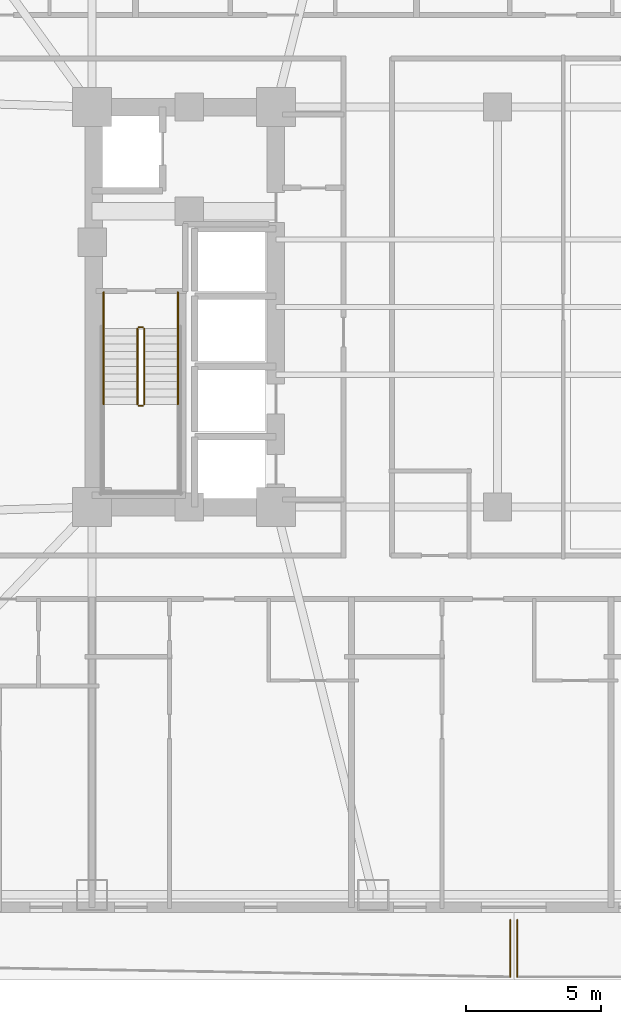
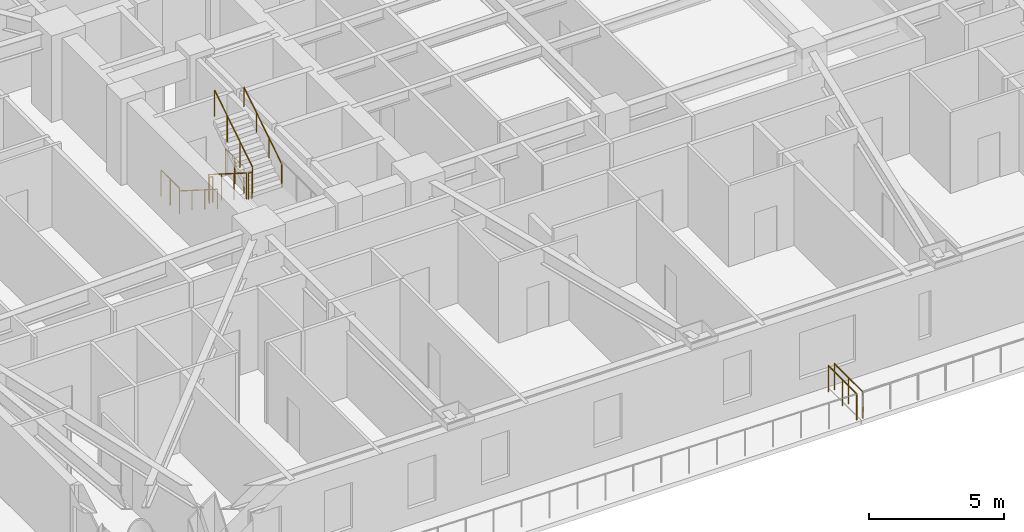
# One storey, part 11 of 14: 10 railings.
"""IFC4 building model written with IfcOpenShell, lengths in metres."""

import ifcopenshell
import ifcopenshell.guid

model = None  # the IFC model being written
_history = None  # IfcOwnerHistory: only IFC2X3 demands one
_inside = {}  # id of a spatial element -> (the spatial element, [elements in it])
_under = {}  # id of a project, library or spatial element -> (it, [spatial elements below it])
_declared = {}  # id of a project -> (the project, [libraries it declares])
_typed = {}  # id of a type object -> (the type object, [elements of that type])
_made_of = {}  # id of a material, layer set ... -> (it, [elements and type objects made of it])


def new_model(schema):
    """Start an empty IFC model of exactly this schema.

    Asked for "IFC4X3", IfcOpenShell would pick the latest addendum, in which some entities
    have other attributes; the version numbers below select the first issue.
    IFC2X3 requires an IfcOwnerHistory on every rooted entity: one is made here for all.
    """
    global model, _history
    if schema == "IFC4X3":
        model = ifcopenshell.file(schema_version=(4, 3, 0, 0))
    else:
        model = ifcopenshell.file(schema=schema)
    _inside.clear()
    _under.clear()
    _declared.clear()
    _typed.clear()
    _made_of.clear()
    _history = None
    if model.schema == "IFC2X3":
        org = make("IfcOrganization", Name="unknown")
        user = make(
            "IfcPersonAndOrganization",
            ThePerson=make("IfcPerson", FamilyName="unknown"),
            TheOrganization=org,
        )
        app = make(
            "IfcApplication",
            ApplicationDeveloper=org,
            Version="unknown",
            ApplicationFullName="unknown",
            ApplicationIdentifier="unknown",
        )
        _history = make(
            "IfcOwnerHistory",
            OwningUser=user,
            OwningApplication=app,
            ChangeAction="ADDED",
            CreationDate=0,
        )
    return model


def make(cls, **values):
    """One entity of the class cls with the attributes given. An attribute that is None is left unset."""
    return model.create_entity(
        cls, **{name: value for name, value in values.items() if value is not None}
    )


def rooted(cls, **values):
    """An entity with a GlobalId (a new one), such as an element, a storey or a relation."""
    return make(cls, GlobalId=ifcopenshell.guid.new(), OwnerHistory=_history, **values)


def si_unit(unit_type, name, prefix=None):
    """IfcSIUnit, for example si_unit("LENGTHUNIT", "METRE", prefix="MILLI")."""
    return make("IfcSIUnit", UnitType=unit_type, Prefix=prefix, Name=name)


def assignment(units):
    """IfcUnitAssignment: the units of a project."""
    return None if units is None else make("IfcUnitAssignment", Units=units)


def point(xyz):
    """IfcCartesianPoint."""
    return None if xyz is None else make("IfcCartesianPoint", Coordinates=xyz)


def direction(xyz):
    """IfcDirection."""
    return None if xyz is None else make("IfcDirection", DirectionRatios=xyz)


def frame(location, z_axis=None, x_axis=None):
    """IfcAxis2Placement3D, a coordinate frame: its origin and axes. An axis left out is left unset."""
    return make(
        "IfcAxis2Placement3D",
        Location=point(location),
        Axis=direction(z_axis),
        RefDirection=direction(x_axis),
    )


def frame_2d(location, x_axis=None):
    """IfcAxis2Placement2D, a coordinate frame in the plane: its origin and x axis."""
    return make(
        "IfcAxis2Placement2D", Location=point(location), RefDirection=direction(x_axis)
    )


def origin():
    """The frame at (0, 0, 0) with its axes left unset."""
    return frame((0.0, 0.0, 0.0))


def origin_2d():
    """The frame at (0, 0) in the plane with its x axis left unset."""
    return frame_2d((0.0, 0.0))


def place(relative_to, where):
    """IfcLocalPlacement: puts the frame where relative to a parent placement (None: the world)."""
    return make(
        "IfcLocalPlacement", PlacementRelTo=relative_to, RelativePlacement=where
    )


def context(
    kind, dimensions, precision=None, world=None, true_north=None, identifier=None
):
    """IfcGeometricRepresentationContext, for example the 3D "Model" context."""
    return make(
        "IfcGeometricRepresentationContext",
        ContextIdentifier=identifier,
        ContextType=kind,
        CoordinateSpaceDimension=dimensions,
        Precision=precision,
        WorldCoordinateSystem=world,
        TrueNorth=true_north,
    )


def subcontext(parent, identifier, kind, view, scale=None):
    """IfcGeometricRepresentationSubContext, for example "Body" below "Model"."""
    return make(
        "IfcGeometricRepresentationSubContext",
        ContextIdentifier=identifier,
        ContextType=kind,
        ParentContext=parent,
        TargetScale=scale,
        TargetView=view,
    )


def project(units=None, contexts=None):
    """IfcProject with its units and contexts."""
    return rooted(
        "IfcProject",
        Name="project",
        RepresentationContexts=contexts,
        UnitsInContext=assignment(units),
    )


def spatial(cls, under=None, at=None, **own):
    """A site, building, storey or space (cls), placed at a placement, below another one or the project."""
    s = rooted(cls, ObjectPlacement=at, **own)
    if under is not None:
        _under.setdefault(under.id(), (under, []))[1].append(s)
    return s


def profile(cls, at=None, kind="AREA", **sizes):
    """A parametric profile (cls). Its sizes go by their IFC names, for example OverallWidth=200.0."""
    return make(cls, ProfileType=kind, Position=at, **sizes)


def circle(**sizes):
    """IfcCircleProfileDef."""
    return profile("IfcCircleProfileDef", **sizes)


def extrude(swept, where, along, depth):
    """IfcExtrudedAreaSolid: the profile swept, set in the frame where, extruded along a direction by depth."""
    return make(
        "IfcExtrudedAreaSolid",
        SweptArea=swept,
        Position=where,
        ExtrudedDirection=direction(along),
        Depth=depth,
    )


def shape(context_of_items, identifier, shape_type, items):
    """IfcShapeRepresentation: the items that make up one representation, for example the "Body"."""
    return make(
        "IfcShapeRepresentation",
        ContextOfItems=context_of_items,
        RepresentationIdentifier=identifier,
        RepresentationType=shape_type,
        Items=items,
    )


def material(Name=None, Category=None):
    """IfcMaterial."""
    return make("IfcMaterial", Name=Name, Category=Category)


def made_of(thing, what):
    """Note that an element or type object is made of a material, layer set ...; save() writes the relation."""
    if what is not None:
        _made_of.setdefault(what.id(), (what, []))[1].append(thing)
    return thing


def type_object(cls, material=None, **own):
    """A type object (cls), such as IfcWallType, which elements share."""
    return made_of(rooted(cls, **own), material)


def element(
    cls,
    number,
    at=None,
    inside=None,
    cuts=None,
    type_object=None,
    material=None,
    context=None,
    identifier="Body",
    shape_type=None,
    held_by="IfcProductDefinitionShape",
    body=None,
    shapes=None,
    **own,
):
    """One element of the class cls, such as IfcWall. Its Tag is "e" and its number.

    at: its placement. inside: the storey or other place that contains it. cuts: it is an
    opening in that element (IfcRelVoidsElement). A single representation is given by context,
    identifier, shape_type and body (its items); several are given by shapes. held_by: the class
    of the entity that holds the representations. save() writes the other relations.
    """
    e = rooted(cls, Tag="e%d" % number, ObjectPlacement=at, **own)
    if body is not None:
        shapes = [shape(context, identifier, shape_type, body)]
    if shapes is not None:
        e.Representation = make(held_by, Representations=shapes)
    if inside is not None:
        _inside.setdefault(inside.id(), (inside, []))[1].append(e)
    if cuts is not None:
        rooted(
            "IfcRelVoidsElement", RelatingBuildingElement=cuts, RelatedOpeningElement=e
        )
    if type_object is not None:
        _typed.setdefault(type_object.id(), (type_object, []))[1].append(e)
    return made_of(e, material)


def aggregate(whole, parts):
    """IfcRelAggregates: a whole, such as a stair, and the parts it consists of."""
    return rooted("IfcRelAggregates", RelatingObject=whole, RelatedObjects=parts)


def save(model, path):
    """Write the relations noted so far, then the file.

    IfcRelAggregates (storeys below a building ...), IfcRelContainedInSpatialStructure (elements
    in a storey), IfcRelDefinesByType, IfcRelAssociatesMaterial and IfcRelDeclares: one each for
    every whole, place, type object, material and project.
    """
    for whole, parts in _under.values():
        aggregate(whole, parts)
    for where, things in _inside.values():
        rooted(
            "IfcRelContainedInSpatialStructure",
            RelatedElements=things,
            RelatingStructure=where,
        )
    for kind, things in _typed.values():
        rooted("IfcRelDefinesByType", RelatedObjects=things, RelatingType=kind)
    for what, things in _made_of.values():
        rooted("IfcRelAssociatesMaterial", RelatedObjects=things, RelatingMaterial=what)
    for by, libraries in _declared.values():
        rooted("IfcRelDeclares", RelatingContext=by, RelatedDefinitions=libraries)
    model.write(path)


model = new_model("IFC4")

# Units and contexts
model_context = context("Model", 3, precision=1e-05, world=origin(), true_north=direction((0.0, 1.0)))
body_context = subcontext(model_context, "Body", "Model", "MODEL_VIEW")
ifc_project = project(units=[si_unit("LENGTHUNIT", "METRE"), si_unit("AREAUNIT", "SQUARE_METRE"), si_unit("VOLUMEUNIT", "CUBIC_METRE"), si_unit("PLANEANGLEUNIT", "RADIAN"), si_unit("MASSUNIT", "GRAM", prefix="KILO")], contexts=[model_context])

# Site, building, storey
site_placement = place(None, origin())
site = spatial("IfcSite", under=ifc_project, at=site_placement, CompositionType="ELEMENT")
building_placement = place(site_placement, origin())
building = spatial("IfcBuilding", under=site, at=building_placement, Name="Voryun Gate Residences", CompositionType="ELEMENT")
storey_placement = place(building_placement, frame((0.0, 0.0, 53.300048828125)))
storey = spatial("IfcBuildingStorey", under=building, at=storey_placement, Name="L12", CompositionType="ELEMENT", Elevation=53.300048828125)

# Railings
ifc_material_1 = material(Name="Anodised aluminium", Category="aluminium")
railing_type_1 = type_object("IfcRailingType", Name="RAIL_BALCONY_GUARD_1200", PredefinedType="GUARDRAIL", material=ifc_material_1)
railing_1_placement = place(storey_placement, frame((-3.72998046875, -22.679931640625, 0.0)))
element("IfcRailing", 1, at=railing_1_placement, inside=storey, type_object=railing_type_1, Name="Terrace guard RL-L12-P1L2-01", PredefinedType="GUARDRAIL", context=body_context, shape_type="SweptSolid", body=[
    extrude(circle(Radius=0.02392578125, at=origin_2d()), frame((0.0, 0.0, 1.17578125), z_axis=(0.0, -1.0, 0.0), x_axis=(1.0, 0.0, 0.0)), (0.0, 0.0, 1.0), 2.10009765625),
    extrude(circle(Radius=0.02099609375, at=origin_2d()), origin(), (0.0, 0.0, 1.0), 1.15185546875),
    extrude(circle(Radius=0.02099609375, at=origin_2d()), frame((0.0, -1.050048828125, 0.0)), (0.0, 0.0, 1.0), 1.15185546875),
    extrude(circle(Radius=0.02099609375, at=origin_2d()), frame((0.0, -2.10009765625, 0.0)), (0.0, 0.0, 1.0), 1.15185546875),
])
railing_2_placement = place(storey_placement, frame((-3.469970703125, -24.780029296875, 0.0)))
element("IfcRailing", 2, at=railing_2_placement, inside=storey, type_object=railing_type_1, Name="Terrace guard RL-L12-P2L1-07", PredefinedType="GUARDRAIL", context=body_context, shape_type="SweptSolid", body=[
    extrude(circle(Radius=0.02392578125, at=origin_2d()), frame((0.0, 0.0, 1.17578125), z_axis=(0.0, 1.0, 0.0), x_axis=(-1.0, 0.0, 0.0)), (0.0, 0.0, 1.0), 2.10009765625),
    extrude(circle(Radius=0.02099609375, at=origin_2d()), origin(), (0.0, 0.0, 1.0), 1.15185546875),
    extrude(circle(Radius=0.02099609375, at=origin_2d()), frame((0.0, 1.050048828125, 0.0)), (0.0, 0.0, 1.0), 1.15185546875),
    extrude(circle(Radius=0.02099609375, at=origin_2d()), frame((0.0, 2.10009765625, 0.0)), (0.0, 0.0, 1.0), 1.15185546875),
])
ifc_material_2 = material(Name="Painted steel", Category="steel")
railing_type_2 = type_object("IfcRailingType", Name="RAIL_STAIR_GUARD_1200", PredefinedType="GUARDRAIL", material=ifc_material_2)
railing_3_placement = place(storey_placement, frame((-17.52490234375, -0.800048828125, 0.17724609375)))
element("IfcRailing", 3, at=railing_3_placement, inside=storey, type_object=railing_type_2, Name="L12 ST-W1 stair guard 1", PredefinedType="GUARDRAIL", context=body_context, shape_type="SweptSolid", body=[
    extrude(circle(Radius=0.02392578125, at=origin_2d()), frame((0.0, 0.0, 1.17578125), z_axis=(0.0, -0.844908973607, 0.534910110503), x_axis=(1.0, 0.0, 0.0)), (0.0, 0.0, 1.0), 3.31396484375),
    extrude(circle(Radius=0.02099609375, at=origin_2d()), origin(), (0.0, 0.0, 1.0), 1.15185546875),
    extrude(circle(Radius=0.02099609375, at=origin_2d()), frame((0.0, -0.933349609375, 0.5908203125)), (0.0, 0.0, 1.0), 1.15185546875),
    extrude(circle(Radius=0.02099609375, at=origin_2d()), frame((0.0, -1.86669921875, 1.181884765625)), (0.0, 0.0, 1.0), 1.15185546875),
    extrude(circle(Radius=0.02099609375, at=origin_2d()), frame((0.0, -2.800048828125, 1.772705078125)), (0.0, 0.0, 1.0), 1.15185546875),
])
railing_4_placement = place(storey_placement, frame((-17.47509765625, -3.64990234375, 1.949951171875)))
element("IfcRailing", 4, at=railing_4_placement, inside=storey, type_object=railing_type_2, Name="L12 ST-W1 stair guard 2", PredefinedType="GUARDRAIL", context=body_context, shape_type="SweptSolid", body=[
    extrude(circle(Radius=0.02392578125, at=origin_2d()), frame((0.0, 0.0, 1.17578125), z_axis=(1.0, 0.0, 0.0), x_axis=(0.0, 1.0, 0.0)), (0.0, 0.0, 1.0), 0.150146484375),
    extrude(circle(Radius=0.02099609375, at=origin_2d()), origin(), (0.0, 0.0, 1.0), 1.15185546875),
    extrude(circle(Radius=0.02099609375, at=origin_2d()), frame((0.150146484375, 0.0, 0.0)), (0.0, 0.0, 1.0), 1.15185546875),
])
railing_5_placement = place(storey_placement, frame((-17.27490234375, -3.60009765625, 2.127197265625)))
element("IfcRailing", 5, at=railing_5_placement, inside=storey, type_object=railing_type_2, Name="L12 ST-W1 stair guard 6", PredefinedType="GUARDRAIL", context=body_context, shape_type="SweptSolid", body=[
    extrude(circle(Radius=0.02392578125, at=origin_2d()), frame((0.0, 0.0, 1.17578125), z_axis=(0.0, 0.844908973607, 0.534910110503), x_axis=(-1.0, 0.0, 0.0)), (0.0, 0.0, 1.0), 3.31396484375),
    extrude(circle(Radius=0.02099609375, at=origin_2d()), origin(), (0.0, 0.0, 1.0), 1.15185546875),
    extrude(circle(Radius=0.02099609375, at=origin_2d()), frame((0.0, 0.933349609375, 0.5908203125)), (0.0, 0.0, 1.0), 1.15185546875),
    extrude(circle(Radius=0.02099609375, at=origin_2d()), frame((0.0, 1.86669921875, 1.181884765625)), (0.0, 0.0, 1.0), 1.15185546875),
    extrude(circle(Radius=0.02099609375, at=origin_2d()), frame((0.0, 2.800048828125, 1.772705078125)), (0.0, 0.0, 1.0), 1.15185546875),
])
railing_6_placement = place(storey_placement, frame((-17.47509765625, -0.75, 0.0)))
element("IfcRailing", 6, at=railing_6_placement, inside=storey, type_object=railing_type_2, Name="L12 ST-W1 stair guard 7", PredefinedType="GUARDRAIL", context=body_context, shape_type="SweptSolid", body=[
    extrude(circle(Radius=0.02392578125, at=origin_2d()), frame((0.0, 0.0, 1.17578125), z_axis=(1.0, 0.0, 0.0), x_axis=(0.0, 1.0, 0.0)), (0.0, 0.0, 1.0), 0.150146484375),
    extrude(circle(Radius=0.02099609375, at=origin_2d()), origin(), (0.0, 0.0, 1.0), 1.15185546875),
    extrude(circle(Radius=0.02099609375, at=origin_2d()), frame((0.150146484375, 0.0, 0.0)), (0.0, 0.0, 1.0), 1.15185546875),
])
for number, where, name in (
    (7, (-18.77490234375, 0.550048828125, 0.0), "L12 ST-W1 stair guard 8"),
    (8, (-16.02490234375, 0.550048828125, 0.0), "L12 ST-W1 stair guard 9"),
):
    element("IfcRailing", number, at=place(storey_placement, frame(where)), inside=storey, type_object=railing_type_2, Name=name, PredefinedType="GUARDRAIL", context=body_context, shape_type="SweptSolid", body=[
        extrude(circle(Radius=0.02392578125, at=origin_2d()), frame((0.0, 0.0, 1.17578125), z_axis=(0.0, -1.0, 0.0), x_axis=(1.0, 0.0, 0.0)), (0.0, 0.0, 1.0), 1.35009765625),
        extrude(circle(Radius=0.02099609375, at=origin_2d()), origin(), (0.0, 0.0, 1.0), 1.15185546875),
        extrude(circle(Radius=0.02099609375, at=origin_2d()), frame((0.0, -0.675048828125, 0.0)), (0.0, 0.0, 1.0), 1.15185546875),
        extrude(circle(Radius=0.02099609375, at=origin_2d()), frame((0.0, -1.35009765625, 0.0)), (0.0, 0.0, 1.0), 1.15185546875),
    ])
ifc_material_3 = material(Name="Painted steel", Category="steel")
railing_type_3 = type_object("IfcRailingType", Name="RAIL_STAIR_HANDRAIL_900", PredefinedType="HANDRAIL", material=ifc_material_3)
railing_7_placement = place(storey_placement, frame((-18.77490234375, -0.800048828125, 0.17724609375)))
element("IfcRailing", 9, at=railing_7_placement, inside=storey, type_object=railing_type_3, Name="L12 ST-W1 stair handrail 1", PredefinedType="HANDRAIL", context=body_context, shape_type="SweptSolid", body=[
    extrude(circle(Radius=0.02392578125, at=origin_2d()), frame((0.0, 0.0, 0.8759765625), z_axis=(0.0, -0.844908973607, 0.534910110503), x_axis=(1.0, 0.0, 0.0)), (0.0, 0.0, 1.0), 3.31396484375),
    extrude(circle(Radius=0.02099609375, at=origin_2d()), origin(), (0.0, 0.0, 1.0), 0.851806640625),
    extrude(circle(Radius=0.02099609375, at=origin_2d()), frame((0.0, -0.933349609375, 0.5908203125)), (0.0, 0.0, 1.0), 0.851806640625),
    extrude(circle(Radius=0.02099609375, at=origin_2d()), frame((0.0, -1.86669921875, 1.181884765625)), (0.0, 0.0, 1.0), 0.851806640625),
    extrude(circle(Radius=0.02099609375, at=origin_2d()), frame((0.0, -2.800048828125, 1.772705078125)), (0.0, 0.0, 1.0), 0.851806640625),
])
railing_8_placement = place(storey_placement, frame((-16.02490234375, -3.60009765625, 2.127197265625)))
element("IfcRailing", 10, at=railing_8_placement, inside=storey, type_object=railing_type_3, Name="L12 ST-W1 stair handrail 2", PredefinedType="HANDRAIL", context=body_context, shape_type="SweptSolid", body=[
    extrude(circle(Radius=0.02392578125, at=origin_2d()), frame((0.0, 0.0, 0.8759765625), z_axis=(0.0, 0.844908973607, 0.534910110503), x_axis=(-1.0, 0.0, 0.0)), (0.0, 0.0, 1.0), 3.31396484375),
    extrude(circle(Radius=0.02099609375, at=origin_2d()), origin(), (0.0, 0.0, 1.0), 0.851806640625),
    extrude(circle(Radius=0.02099609375, at=origin_2d()), frame((0.0, 0.933349609375, 0.5908203125)), (0.0, 0.0, 1.0), 0.851806640625),
    extrude(circle(Radius=0.02099609375, at=origin_2d()), frame((0.0, 1.86669921875, 1.181884765625)), (0.0, 0.0, 1.0), 0.851806640625),
    extrude(circle(Radius=0.02099609375, at=origin_2d()), frame((0.0, 2.800048828125, 1.772705078125)), (0.0, 0.0, 1.0), 0.851806640625),
])

save(model, "model.ifc")
